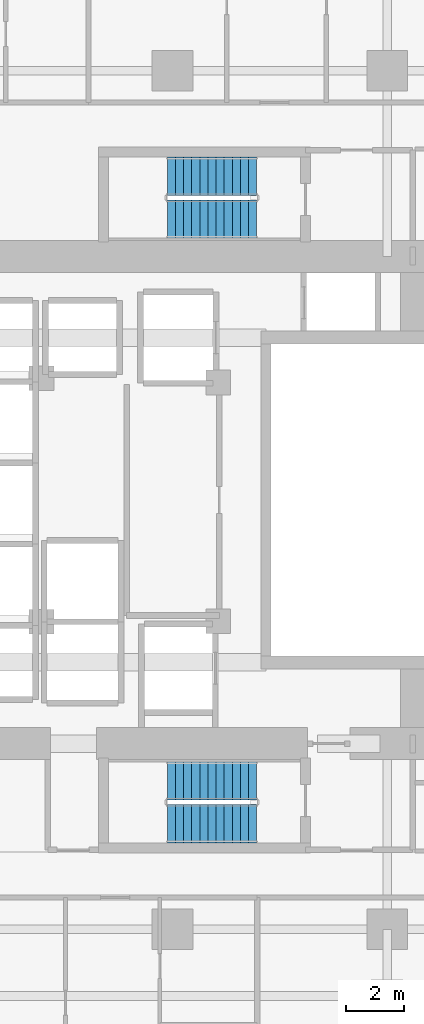
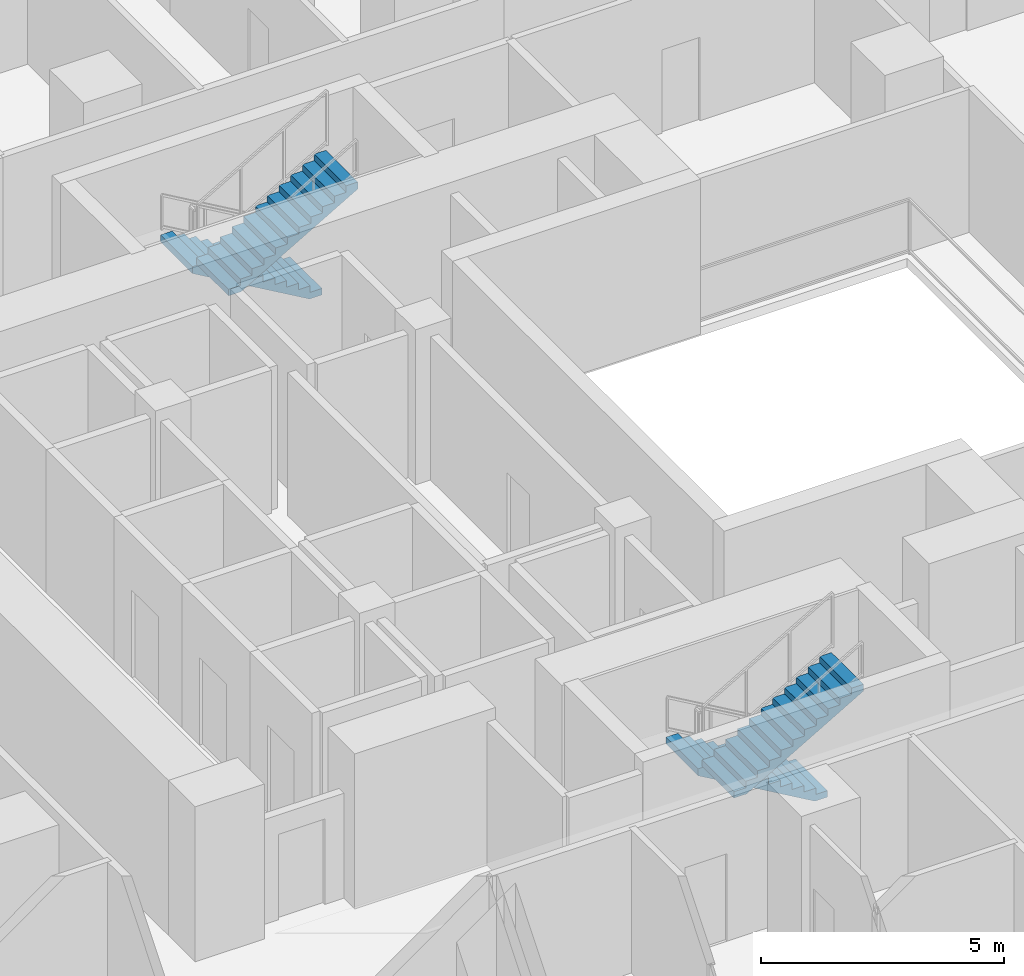
# One storey, part 24 of 29: 4 stair flights, 2 elements without a shape of their own.
"""IFC4 building model written with IfcOpenShell, lengths in metres."""

from ifc_helpers import new_model, si_unit, direction, frame, origin, place, context, subcontext, project, spatial, polyline, outline, extrude, material, type_object, element, aggregate, save


model = new_model("IFC4")

# Units and contexts
model_context = context("Model", 3, precision=1e-05, world=origin(), true_north=direction((0.0, 1.0)))
body_context = subcontext(model_context, "Body", "Model", "MODEL_VIEW")
ifc_project = project(units=[si_unit("LENGTHUNIT", "METRE"), si_unit("AREAUNIT", "SQUARE_METRE"), si_unit("VOLUMEUNIT", "CUBIC_METRE"), si_unit("PLANEANGLEUNIT", "RADIAN"), si_unit("MASSUNIT", "GRAM", prefix="KILO")], contexts=[model_context])

# Site, building, storey
site_placement = place(None, origin())
site = spatial("IfcSite", under=ifc_project, at=site_placement, CompositionType="ELEMENT")
building_placement = place(site_placement, origin())
building = spatial("IfcBuilding", under=site, at=building_placement, Name="Khorvyn Point Tower", CompositionType="ELEMENT")
storey_placement = place(building_placement, frame((0.0, 0.0, 73.5)))
storey = spatial("IfcBuildingStorey", under=building, at=storey_placement, Name="L19", CompositionType="ELEMENT", Elevation=73.5)

# Stair, stair flights
ifc_material = material(Name="Concrete C40/50", Category="concrete")
stair_type = type_object("IfcStairType", Name="Tower Concrete C40/50 Dogleg Exit Stair", PredefinedType="HALF_TURN_STAIR", material=ifc_material)
stair_1_placement = place(storey_placement, origin())
stair_1 = element("IfcStair", 1, at=stair_1_placement, inside=storey, type_object=stair_type, Name="L19 Tower Smokeproof Exit Stair South", PredefinedType="HALF_TURN_STAIR")
stair_flight_type = type_object("IfcStairFlightType", Name="Tower Concrete C40/50 Stair Flight", PredefinedType="STRAIGHT", material=ifc_material)
stair_flight_1_placement = place(storey_placement, frame((2.89990234375, -9.679931640625, 0.0), z_axis=(0.0, 0.0, 1.0), x_axis=(-1.0, 0.0, 0.0)))
stair_flight_1 = element("IfcStairFlight", 2, at=stair_flight_1_placement, type_object=stair_flight_type, Name="ST-01 flight 1", NumberOfRisers=12, NumberOfTreads=11, PredefinedType="STRAIGHT", RiserHeight=0.1625, TreadLength=0.28, context=body_context, shape_type="SweptSolid", body=[
    extrude(outline(polyline([(0.0, 0.0), (0.0, 0.16259765625), (0.280029296875, 0.16259765625), (0.280029296875, 0.324951171875), (0.56005859375, 0.324951171875), (0.56005859375, 0.487548828125), (0.840087890625, 0.487548828125), (0.840087890625, 0.64990234375), (1.1201171875, 0.64990234375), (1.1201171875, 0.8125), (1.39990234375, 0.8125), (1.39990234375, 0.97509765625), (1.679931640625, 0.97509765625), (1.679931640625, 1.137451171875), (1.9599609375, 1.137451171875), (1.9599609375, 1.300048828125), (2.239990234375, 1.300048828125), (2.239990234375, 1.46240234375), (2.52001953125, 1.46240234375), (2.52001953125, 1.625), (2.800048828125, 1.625), (2.800048828125, 1.78759765625), (3.080078125, 1.78759765625), (3.080078125, 1.949951171875), (3.080078125, 1.6142578125), (0.298583984375, 0.0), (0.0, 0.0)])), frame((0.0, 0.66015625, 0.0), z_axis=(0.0, -1.0, 0.0), x_axis=(1.0, 0.0, 0.0)), (0.0, 0.0, 1.0), 1.320068359375),
])
stair_flight_2_placement = place(storey_placement, frame((-0.179931640625, -11.159912109375, 1.949951171875), z_axis=(0.0, 0.0, 1.0), x_axis=(1.0, 0.0, 0.0)))
stair_flight_2 = element("IfcStairFlight", 3, at=stair_flight_2_placement, type_object=stair_flight_type, Name="ST-01 flight 2", NumberOfRisers=12, NumberOfTreads=11, PredefinedType="STRAIGHT", RiserHeight=0.1625, TreadLength=0.28, context=body_context, shape_type="SweptSolid", body=[
    extrude(outline(polyline([(0.0, 0.0), (0.0, 0.16259765625), (0.280029296875, 0.16259765625), (0.280029296875, 0.324951171875), (0.56005859375, 0.324951171875), (0.56005859375, 0.487548828125), (0.840087890625, 0.487548828125), (0.840087890625, 0.64990234375), (1.1201171875, 0.64990234375), (1.1201171875, 0.8125), (1.39990234375, 0.8125), (1.39990234375, 0.97509765625), (1.679931640625, 0.97509765625), (1.679931640625, 1.137451171875), (1.9599609375, 1.137451171875), (1.9599609375, 1.300048828125), (2.239990234375, 1.300048828125), (2.239990234375, 1.46240234375), (2.52001953125, 1.46240234375), (2.52001953125, 1.625), (2.800048828125, 1.625), (2.800048828125, 1.78759765625), (3.080078125, 1.78759765625), (3.080078125, 1.949951171875), (3.080078125, 1.6142578125), (0.298583984375, 0.0), (0.0, 0.0)])), frame((0.0, 0.66015625, 0.0), z_axis=(0.0, -1.0, 0.0), x_axis=(1.0, 0.0, 0.0)), (0.0, 0.0, 1.0), 1.320068359375),
])
aggregate(stair_1, [stair_flight_1, stair_flight_2])

stair_2_placement = place(storey_placement, origin())
stair_2 = element("IfcStair", 4, at=stair_2_placement, inside=storey, type_object=stair_type, Name="L19 Tower Smokeproof Exit Stair North", PredefinedType="HALF_TURN_STAIR")
stair_flight_3_placement = place(storey_placement, frame((2.89990234375, 11.159912109375, 0.0), z_axis=(0.0, 0.0, 1.0), x_axis=(-1.0, 0.0, 0.0)))
stair_flight_3 = element("IfcStairFlight", 5, at=stair_flight_3_placement, type_object=stair_flight_type, Name="ST-02 flight 1", NumberOfRisers=12, NumberOfTreads=11, PredefinedType="STRAIGHT", RiserHeight=0.1625, TreadLength=0.28, context=body_context, shape_type="SweptSolid", body=[
    extrude(outline(polyline([(0.0, 0.0), (0.0, 0.16259765625), (0.280029296875, 0.16259765625), (0.280029296875, 0.324951171875), (0.56005859375, 0.324951171875), (0.56005859375, 0.487548828125), (0.840087890625, 0.487548828125), (0.840087890625, 0.64990234375), (1.1201171875, 0.64990234375), (1.1201171875, 0.8125), (1.39990234375, 0.8125), (1.39990234375, 0.97509765625), (1.679931640625, 0.97509765625), (1.679931640625, 1.137451171875), (1.9599609375, 1.137451171875), (1.9599609375, 1.300048828125), (2.239990234375, 1.300048828125), (2.239990234375, 1.46240234375), (2.52001953125, 1.46240234375), (2.52001953125, 1.625), (2.800048828125, 1.625), (2.800048828125, 1.78759765625), (3.080078125, 1.78759765625), (3.080078125, 1.949951171875), (3.080078125, 1.6142578125), (0.298583984375, 0.0), (0.0, 0.0)])), frame((0.0, 0.66015625, 0.0), z_axis=(0.0, -1.0, 0.0), x_axis=(1.0, 0.0, 0.0)), (0.0, 0.0, 1.0), 1.320068359375),
])
stair_flight_4_placement = place(storey_placement, frame((-0.179931640625, 9.679931640625, 1.949951171875), z_axis=(0.0, 0.0, 1.0), x_axis=(1.0, 0.0, 0.0)))
stair_flight_4 = element("IfcStairFlight", 6, at=stair_flight_4_placement, type_object=stair_flight_type, Name="ST-02 flight 2", NumberOfRisers=12, NumberOfTreads=11, PredefinedType="STRAIGHT", RiserHeight=0.1625, TreadLength=0.28, context=body_context, shape_type="SweptSolid", body=[
    extrude(outline(polyline([(0.0, 0.0), (0.0, 0.16259765625), (0.280029296875, 0.16259765625), (0.280029296875, 0.324951171875), (0.56005859375, 0.324951171875), (0.56005859375, 0.487548828125), (0.840087890625, 0.487548828125), (0.840087890625, 0.64990234375), (1.1201171875, 0.64990234375), (1.1201171875, 0.8125), (1.39990234375, 0.8125), (1.39990234375, 0.97509765625), (1.679931640625, 0.97509765625), (1.679931640625, 1.137451171875), (1.9599609375, 1.137451171875), (1.9599609375, 1.300048828125), (2.239990234375, 1.300048828125), (2.239990234375, 1.46240234375), (2.52001953125, 1.46240234375), (2.52001953125, 1.625), (2.800048828125, 1.625), (2.800048828125, 1.78759765625), (3.080078125, 1.78759765625), (3.080078125, 1.949951171875), (3.080078125, 1.6142578125), (0.298583984375, 0.0), (0.0, 0.0)])), frame((0.0, 0.66015625, 0.0), z_axis=(0.0, -1.0, 0.0), x_axis=(1.0, 0.0, 0.0)), (0.0, 0.0, 1.0), 1.320068359375),
])
aggregate(stair_2, [stair_flight_3, stair_flight_4])

save(model, "model.ifc")
